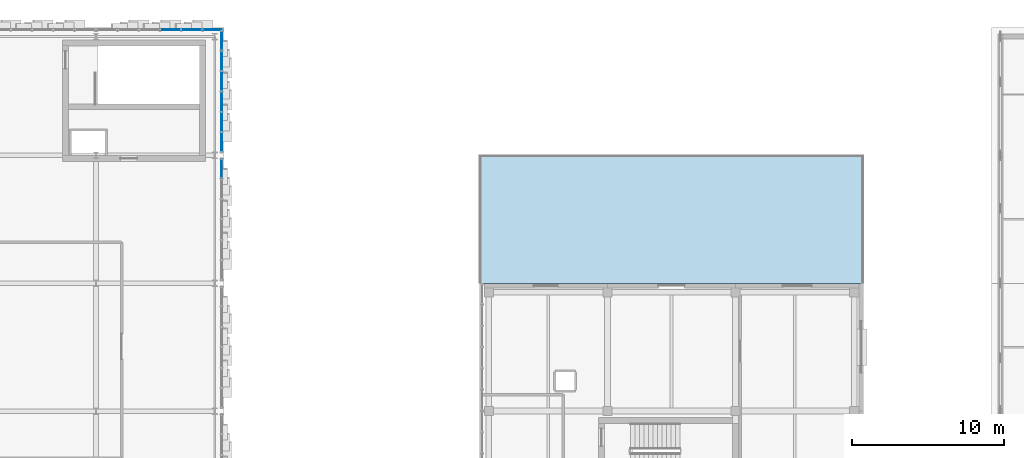
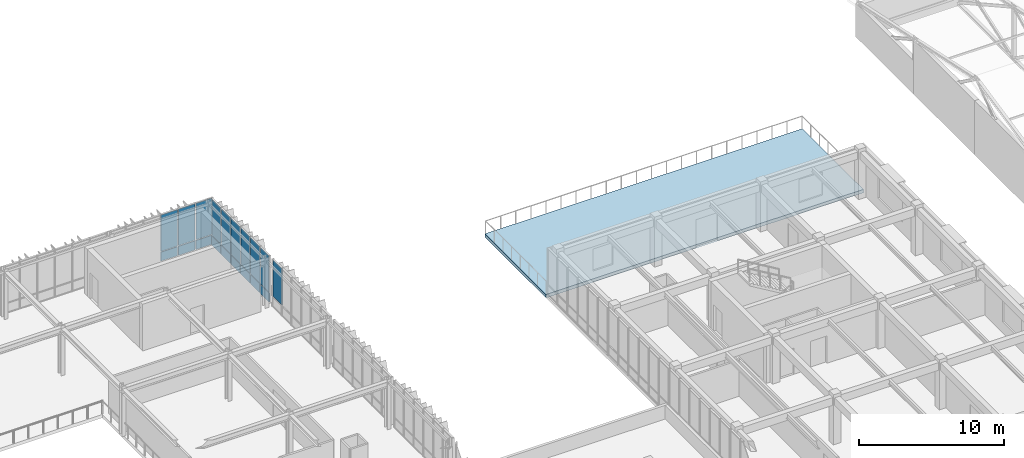
# One storey, part 94 of 123: 19 plates, 1 slab, 3 elements without a shape of their own.
"""IFC4 building model written with IfcOpenShell, lengths in metres."""

import ifcopenshell
import ifcopenshell.guid

model = None  # the IFC model being written
_history = None  # IfcOwnerHistory: only IFC2X3 demands one
_inside = {}  # id of a spatial element -> (the spatial element, [elements in it])
_under = {}  # id of a project, library or spatial element -> (it, [spatial elements below it])
_declared = {}  # id of a project -> (the project, [libraries it declares])
_typed = {}  # id of a type object -> (the type object, [elements of that type])
_made_of = {}  # id of a material, layer set ... -> (it, [elements and type objects made of it])


def new_model(schema):
    """Start an empty IFC model of exactly this schema.

    Asked for "IFC4X3", IfcOpenShell would pick the latest addendum, in which some entities
    have other attributes; the version numbers below select the first issue.
    IFC2X3 requires an IfcOwnerHistory on every rooted entity: one is made here for all.
    """
    global model, _history
    if schema == "IFC4X3":
        model = ifcopenshell.file(schema_version=(4, 3, 0, 0))
    else:
        model = ifcopenshell.file(schema=schema)
    _inside.clear()
    _under.clear()
    _declared.clear()
    _typed.clear()
    _made_of.clear()
    _history = None
    if model.schema == "IFC2X3":
        org = make("IfcOrganization", Name="unknown")
        user = make(
            "IfcPersonAndOrganization",
            ThePerson=make("IfcPerson", FamilyName="unknown"),
            TheOrganization=org,
        )
        app = make(
            "IfcApplication",
            ApplicationDeveloper=org,
            Version="unknown",
            ApplicationFullName="unknown",
            ApplicationIdentifier="unknown",
        )
        _history = make(
            "IfcOwnerHistory",
            OwningUser=user,
            OwningApplication=app,
            ChangeAction="ADDED",
            CreationDate=0,
        )
    return model


def make(cls, **values):
    """One entity of the class cls with the attributes given. An attribute that is None is left unset."""
    return model.create_entity(
        cls, **{name: value for name, value in values.items() if value is not None}
    )


def rooted(cls, **values):
    """An entity with a GlobalId (a new one), such as an element, a storey or a relation."""
    return make(cls, GlobalId=ifcopenshell.guid.new(), OwnerHistory=_history, **values)


def si_unit(unit_type, name, prefix=None):
    """IfcSIUnit, for example si_unit("LENGTHUNIT", "METRE", prefix="MILLI")."""
    return make("IfcSIUnit", UnitType=unit_type, Prefix=prefix, Name=name)


def assignment(units):
    """IfcUnitAssignment: the units of a project."""
    return None if units is None else make("IfcUnitAssignment", Units=units)


def point(xyz):
    """IfcCartesianPoint."""
    return None if xyz is None else make("IfcCartesianPoint", Coordinates=xyz)


def direction(xyz):
    """IfcDirection."""
    return None if xyz is None else make("IfcDirection", DirectionRatios=xyz)


def frame(location, z_axis=None, x_axis=None):
    """IfcAxis2Placement3D, a coordinate frame: its origin and axes. An axis left out is left unset."""
    return make(
        "IfcAxis2Placement3D",
        Location=point(location),
        Axis=direction(z_axis),
        RefDirection=direction(x_axis),
    )


def frame_2d(location, x_axis=None):
    """IfcAxis2Placement2D, a coordinate frame in the plane: its origin and x axis."""
    return make(
        "IfcAxis2Placement2D", Location=point(location), RefDirection=direction(x_axis)
    )


def origin():
    """The frame at (0, 0, 0) with its axes left unset."""
    return frame((0.0, 0.0, 0.0))


def origin_2d():
    """The frame at (0, 0) in the plane with its x axis left unset."""
    return frame_2d((0.0, 0.0))


def place(relative_to, where):
    """IfcLocalPlacement: puts the frame where relative to a parent placement (None: the world)."""
    return make(
        "IfcLocalPlacement", PlacementRelTo=relative_to, RelativePlacement=where
    )


def context(
    kind, dimensions, precision=None, world=None, true_north=None, identifier=None
):
    """IfcGeometricRepresentationContext, for example the 3D "Model" context."""
    return make(
        "IfcGeometricRepresentationContext",
        ContextIdentifier=identifier,
        ContextType=kind,
        CoordinateSpaceDimension=dimensions,
        Precision=precision,
        WorldCoordinateSystem=world,
        TrueNorth=true_north,
    )


def subcontext(parent, identifier, kind, view, scale=None):
    """IfcGeometricRepresentationSubContext, for example "Body" below "Model"."""
    return make(
        "IfcGeometricRepresentationSubContext",
        ContextIdentifier=identifier,
        ContextType=kind,
        ParentContext=parent,
        TargetScale=scale,
        TargetView=view,
    )


def project(units=None, contexts=None):
    """IfcProject with its units and contexts."""
    return rooted(
        "IfcProject",
        Name="project",
        RepresentationContexts=contexts,
        UnitsInContext=assignment(units),
    )


def spatial(cls, under=None, at=None, **own):
    """A site, building, storey or space (cls), placed at a placement, below another one or the project."""
    s = rooted(cls, ObjectPlacement=at, **own)
    if under is not None:
        _under.setdefault(under.id(), (under, []))[1].append(s)
    return s


def polyline(points):
    """IfcPolyline through the points."""
    return make("IfcPolyline", Points=[point(p) for p in points])


def profile(cls, at=None, kind="AREA", **sizes):
    """A parametric profile (cls). Its sizes go by their IFC names, for example OverallWidth=200.0."""
    return make(cls, ProfileType=kind, Position=at, **sizes)


def rectangle(**sizes):
    """IfcRectangleProfileDef."""
    return profile("IfcRectangleProfileDef", **sizes)


def outline(outer, holes=None, kind="AREA"):
    """IfcArbitraryClosedProfileDef: a profile drawn as a closed curve; with holes, ...WithVoids."""
    if holes is None:
        return make("IfcArbitraryClosedProfileDef", ProfileType=kind, OuterCurve=outer)
    return make(
        "IfcArbitraryProfileDefWithVoids",
        ProfileType=kind,
        OuterCurve=outer,
        InnerCurves=holes,
    )


def extrude(swept, where, along, depth):
    """IfcExtrudedAreaSolid: the profile swept, set in the frame where, extruded along a direction by depth."""
    return make(
        "IfcExtrudedAreaSolid",
        SweptArea=swept,
        Position=where,
        ExtrudedDirection=direction(along),
        Depth=depth,
    )


def shape(context_of_items, identifier, shape_type, items):
    """IfcShapeRepresentation: the items that make up one representation, for example the "Body"."""
    return make(
        "IfcShapeRepresentation",
        ContextOfItems=context_of_items,
        RepresentationIdentifier=identifier,
        RepresentationType=shape_type,
        Items=items,
    )


def material(Name=None, Category=None):
    """IfcMaterial."""
    return make("IfcMaterial", Name=Name, Category=Category)


def layer(
    of_material, thickness, ventilated=None, Name=None, Category=None, Priority=None
):
    """IfcMaterialLayer: one layer of a wall or slab, of a material (None: an air gap)."""
    return make(
        "IfcMaterialLayer",
        Material=of_material,
        LayerThickness=thickness,
        IsVentilated=ventilated,
        Name=Name,
        Category=Category,
        Priority=Priority,
    )


def layer_set(layers, Name=None):
    """IfcMaterialLayerSet."""
    return make("IfcMaterialLayerSet", MaterialLayers=layers, LayerSetName=Name)


def made_of(thing, what):
    """Note that an element or type object is made of a material, layer set ...; save() writes the relation."""
    if what is not None:
        _made_of.setdefault(what.id(), (what, []))[1].append(thing)
    return thing


def type_object(cls, material=None, **own):
    """A type object (cls), such as IfcWallType, which elements share."""
    return made_of(rooted(cls, **own), material)


def element(
    cls,
    number,
    at=None,
    inside=None,
    cuts=None,
    type_object=None,
    material=None,
    context=None,
    identifier="Body",
    shape_type=None,
    held_by="IfcProductDefinitionShape",
    body=None,
    shapes=None,
    **own,
):
    """One element of the class cls, such as IfcWall. Its Tag is "e" and its number.

    at: its placement. inside: the storey or other place that contains it. cuts: it is an
    opening in that element (IfcRelVoidsElement). A single representation is given by context,
    identifier, shape_type and body (its items); several are given by shapes. held_by: the class
    of the entity that holds the representations. save() writes the other relations.
    """
    e = rooted(cls, Tag="e%d" % number, ObjectPlacement=at, **own)
    if body is not None:
        shapes = [shape(context, identifier, shape_type, body)]
    if shapes is not None:
        e.Representation = make(held_by, Representations=shapes)
    if inside is not None:
        _inside.setdefault(inside.id(), (inside, []))[1].append(e)
    if cuts is not None:
        rooted(
            "IfcRelVoidsElement", RelatingBuildingElement=cuts, RelatedOpeningElement=e
        )
    if type_object is not None:
        _typed.setdefault(type_object.id(), (type_object, []))[1].append(e)
    return made_of(e, material)


def aggregate(whole, parts):
    """IfcRelAggregates: a whole, such as a stair, and the parts it consists of."""
    return rooted("IfcRelAggregates", RelatingObject=whole, RelatedObjects=parts)


def save(model, path):
    """Write the relations noted so far, then the file.

    IfcRelAggregates (storeys below a building ...), IfcRelContainedInSpatialStructure (elements
    in a storey), IfcRelDefinesByType, IfcRelAssociatesMaterial and IfcRelDeclares: one each for
    every whole, place, type object, material and project.
    """
    for whole, parts in _under.values():
        aggregate(whole, parts)
    for where, things in _inside.values():
        rooted(
            "IfcRelContainedInSpatialStructure",
            RelatedElements=things,
            RelatingStructure=where,
        )
    for kind, things in _typed.values():
        rooted("IfcRelDefinesByType", RelatedObjects=things, RelatingType=kind)
    for what, things in _made_of.values():
        rooted("IfcRelAssociatesMaterial", RelatedObjects=things, RelatingMaterial=what)
    for by, libraries in _declared.values():
        rooted("IfcRelDeclares", RelatingContext=by, RelatedDefinitions=libraries)
    model.write(path)


model = new_model("IFC4")

# Units and contexts
model_context = context("Model", 3, precision=1e-05, world=origin(), true_north=direction((0.0, 1.0)))
body_context = subcontext(model_context, "Body", "Model", "MODEL_VIEW")
ifc_project = project(units=[si_unit("LENGTHUNIT", "METRE"), si_unit("AREAUNIT", "SQUARE_METRE"), si_unit("VOLUMEUNIT", "CUBIC_METRE"), si_unit("PLANEANGLEUNIT", "RADIAN"), si_unit("MASSUNIT", "GRAM", prefix="KILO")], contexts=[model_context])

# Site, building, storey
site_placement = place(None, origin())
site = spatial("IfcSite", under=ifc_project, at=site_placement, CompositionType="ELEMENT")
building_placement = place(site_placement, origin())
building = spatial("IfcBuilding", under=site, at=building_placement, Name="Zayran Congress Hotel", CompositionType="ELEMENT")
storey_placement = place(building_placement, frame((0.0, 0.0, 15.0)))
storey = spatial("IfcBuildingStorey", under=building, at=storey_placement, Name="L03", CompositionType="ELEMENT", Elevation=15.0)

# Slab
ifc_material_1 = material(Name="Concrete C32/40", Category="concrete")
ifc_layer_1 = layer(ifc_material_1, 0.280029296875)
ifc_layer_set_1 = layer_set([ifc_layer_1], Name="Concrete C32/40")
slab_type = type_object("IfcSlabType", Name="SL-TR-280", PredefinedType="FLOOR", material=ifc_layer_set_1)
slab_placement = place(storey_placement, frame((0.0, 0.0, -0.280029296875)))
element("IfcSlab", 1, at=slab_placement, inside=storey, type_object=slab_type, Name="V4 L03 Planted Roof Terrace Slab 1", PredefinedType="FLOOR", context=body_context, shape_type="SweptSolid", body=[
    extrude(outline(polyline([(109.199951171875, 101.199951171875), (134.39990234375, 101.199951171875), (134.39990234375, 109.60009765625), (109.199951171875, 109.60009765625), (109.199951171875, 101.199951171875)])), origin(), (0.0, 0.0, 1.0), 0.280029296875),
])

# Curtain wall, plates
ifc_material_2 = material(Name="Anodised aluminium and low-E insulated glass", Category="aluminium")
ifc_layer_2 = layer(ifc_material_2, 0.179931640625)
ifc_layer_set_2 = layer_set([ifc_layer_2], Name="Anodised aluminium and low-E insulated glass")
curtain_wall_type_1 = type_object("IfcCurtainWallType", Name="CW-V1N-L03-CW-21-8360-3980", PredefinedType="USERDEFINED", material=ifc_layer_set_2)
curtain_wall_1_placement = place(storey_placement, origin())
curtain_wall_1 = element("IfcCurtainWall", 2, at=curtain_wall_1_placement, inside=storey, type_object=curtain_wall_type_1, Name="CW-V1N-L03-9", ObjectType="CURTAIN WALL", PredefinedType="USERDEFINED")
ifc_material_3 = material(Name="Insulated warm bronze aluminium spandrel panel", Category="aluminium")
ifc_layer_3 = layer(ifc_material_3, 0.06005859375)
ifc_layer_set_3 = layer_set([ifc_layer_3], Name="Insulated warm bronze aluminium spandrel panel")
plate_type_1 = type_object("IfcPlateType", Name="CWP-SP-1273-750", PredefinedType="CURTAIN_PANEL", material=ifc_layer_set_3)
plate_1_placement = place(storey_placement, frame((91.663330078125, 117.85009765625, 0.06005859375), z_axis=(0.0, 0.0, 1.0), x_axis=(1.0, 0.0, 0.0)))
plate_1 = element("IfcPlate", 3, at=plate_1_placement, type_object=plate_type_1, Name="CW-21 Spandrel Panel 1", PredefinedType="CURTAIN_PANEL", context=body_context, shape_type="SweptSolid", body=[
    extrude(rectangle(XDim=1.273193359375, YDim=0.06005859375, at=origin_2d()), origin(), (0.0, 0.0, 1.0), 0.75),
])
plate_2_placement = place(storey_placement, frame((90.2900390625, 117.85009765625, 0.06005859375), z_axis=(0.0, 0.0, 1.0), x_axis=(1.0, 0.0, 0.0)))
plate_2 = element("IfcPlate", 4, at=plate_2_placement, type_object=plate_type_1, Name="CW-21 Spandrel Panel 2", PredefinedType="CURTAIN_PANEL", context=body_context, shape_type="SweptSolid", body=[
    extrude(rectangle(XDim=1.313232421875, YDim=0.06005859375, at=origin_2d()), origin(), (0.0, 0.0, 1.0), 0.75),
])
plate_3_placement = place(storey_placement, frame((88.896728515625, 117.85009765625, 0.06005859375), z_axis=(0.0, 0.0, 1.0), x_axis=(1.0, 0.0, 0.0)))
plate_3 = element("IfcPlate", 5, at=plate_3_placement, type_object=plate_type_1, Name="CW-21 Spandrel Panel 3", PredefinedType="CURTAIN_PANEL", context=body_context, shape_type="SweptSolid", body=[
    extrude(rectangle(XDim=1.313232421875, YDim=0.06005859375, at=origin_2d()), origin(), (0.0, 0.0, 1.0), 0.75),
])

ifc_layer_4 = layer(ifc_material_2, 0.179931640625)
ifc_layer_set_4 = layer_set([ifc_layer_4], Name="Anodised aluminium and low-E insulated glass")
curtain_wall_type_2 = type_object("IfcCurtainWallType", Name="CW-V1E-L03-CW-42-8040-3980", PredefinedType="USERDEFINED", material=ifc_layer_set_4)
curtain_wall_2_placement = place(storey_placement, origin())
curtain_wall_2 = element("IfcCurtainWall", 6, at=curtain_wall_2_placement, inside=storey, type_object=curtain_wall_type_2, Name="CW-V1E-L03-5", ObjectType="CURTAIN WALL", PredefinedType="USERDEFINED")
ifc_layer_5 = layer(ifc_material_3, 0.06005859375)
ifc_layer_set_5 = layer_set([ifc_layer_5], Name="Insulated warm bronze aluminium spandrel panel")
plate_type_2 = type_object("IfcPlateType", Name="CWP-SP-1220-750", PredefinedType="CURTAIN_PANEL", material=ifc_layer_set_5)
plate_4_placement = place(storey_placement, frame((92.25, 110.469970703125, 0.06005859375), z_axis=(0.0, 0.0, 1.0), x_axis=(0.0, 1.0, 0.0)))
plate_4 = element("IfcPlate", 7, at=plate_4_placement, type_object=plate_type_2, Name="CW-42 Spandrel Panel 1", PredefinedType="CURTAIN_PANEL", context=body_context, shape_type="SweptSolid", body=[
    extrude(rectangle(XDim=1.219970703125, YDim=0.06005859375, at=origin_2d()), origin(), (0.0, 0.0, 1.0), 0.75),
])
plate_5_placement = place(storey_placement, frame((92.25, 111.7900390625, 0.06005859375), z_axis=(0.0, 0.0, 1.0), x_axis=(0.0, 1.0, 0.0)))
plate_5 = element("IfcPlate", 8, at=plate_5_placement, type_object=plate_type_2, Name="CW-42 Spandrel Panel 2", PredefinedType="CURTAIN_PANEL", context=body_context, shape_type="SweptSolid", body=[
    extrude(rectangle(XDim=1.260009765625, YDim=0.06005859375, at=origin_2d()), origin(), (0.0, 0.0, 1.0), 0.75),
])
plate_6_placement = place(storey_placement, frame((92.25, 113.1298828125, 0.06005859375), z_axis=(0.0, 0.0, 1.0), x_axis=(0.0, 1.0, 0.0)))
plate_6 = element("IfcPlate", 9, at=plate_6_placement, type_object=plate_type_2, Name="CW-42 Spandrel Panel 3", PredefinedType="CURTAIN_PANEL", context=body_context, shape_type="SweptSolid", body=[
    extrude(rectangle(XDim=1.260009765625, YDim=0.06005859375, at=origin_2d()), origin(), (0.0, 0.0, 1.0), 0.75),
])
plate_7_placement = place(storey_placement, frame((92.25, 114.469970703125, 0.06005859375), z_axis=(0.0, 0.0, 1.0), x_axis=(0.0, 1.0, 0.0)))
plate_7 = element("IfcPlate", 10, at=plate_7_placement, type_object=plate_type_2, Name="CW-42 Spandrel Panel 4", PredefinedType="CURTAIN_PANEL", context=body_context, shape_type="SweptSolid", body=[
    extrude(rectangle(XDim=1.260009765625, YDim=0.06005859375, at=origin_2d()), origin(), (0.0, 0.0, 1.0), 0.75),
])
plate_8_placement = place(storey_placement, frame((92.25, 115.81005859375, 0.06005859375), z_axis=(0.0, 0.0, 1.0), x_axis=(0.0, 1.0, 0.0)))
plate_8 = element("IfcPlate", 11, at=plate_8_placement, type_object=plate_type_2, Name="CW-42 Spandrel Panel 5", PredefinedType="CURTAIN_PANEL", context=body_context, shape_type="SweptSolid", body=[
    extrude(rectangle(XDim=1.260009765625, YDim=0.06005859375, at=origin_2d()), origin(), (0.0, 0.0, 1.0), 0.75),
])
plate_9_placement = place(storey_placement, frame((92.25, 117.1298828125, 0.06005859375), z_axis=(0.0, 0.0, 1.0), x_axis=(0.0, 1.0, 0.0)))
plate_9 = element("IfcPlate", 12, at=plate_9_placement, type_object=plate_type_2, Name="CW-42 Spandrel Panel 6", PredefinedType="CURTAIN_PANEL", context=body_context, shape_type="SweptSolid", body=[
    extrude(rectangle(XDim=1.219970703125, YDim=0.06005859375, at=origin_2d()), origin(), (0.0, 0.0, 1.0), 0.75),
])

# Plate
ifc_layer_6 = layer(ifc_material_2, 0.028076171875)
ifc_layer_set_6 = layer_set([ifc_layer_6], Name="Anodised aluminium and low-E insulated glass")
plate_type_3 = type_object("IfcPlateType", Name="CWP-GL-1273-3050", PredefinedType="CURTAIN_PANEL", material=ifc_layer_set_6)
plate_10_placement = place(storey_placement, frame((91.663330078125, 117.85009765625, 0.8701171875), z_axis=(0.0, 0.0, 1.0), x_axis=(1.0, 0.0, 0.0)))
plate_10 = element("IfcPlate", 13, at=plate_10_placement, type_object=plate_type_3, Name="CW-21 Glazed Panel 1", PredefinedType="CURTAIN_PANEL", context=body_context, shape_type="SweptSolid", body=[
    extrude(rectangle(XDim=1.273193359375, YDim=0.028076171875, at=origin_2d()), origin(), (0.0, 0.0, 1.0), 3.050048828125),
])

plate_11_placement = place(storey_placement, frame((90.2900390625, 117.85009765625, 0.8701171875), z_axis=(0.0, 0.0, 1.0), x_axis=(1.0, 0.0, 0.0)))
plate_11 = element("IfcPlate", 14, at=plate_11_placement, type_object=plate_type_3, Name="CW-21 Glazed Panel 2", PredefinedType="CURTAIN_PANEL", context=body_context, shape_type="SweptSolid", body=[
    extrude(rectangle(XDim=1.313232421875, YDim=0.028076171875, at=origin_2d()), origin(), (0.0, 0.0, 1.0), 3.050048828125),
])

plate_12_placement = place(storey_placement, frame((88.896728515625, 117.85009765625, 0.8701171875), z_axis=(0.0, 0.0, 1.0), x_axis=(1.0, 0.0, 0.0)))
plate_12 = element("IfcPlate", 15, at=plate_12_placement, type_object=plate_type_3, Name="CW-21 Glazed Panel 3", PredefinedType="CURTAIN_PANEL", context=body_context, shape_type="SweptSolid", body=[
    extrude(rectangle(XDim=1.313232421875, YDim=0.028076171875, at=origin_2d()), origin(), (0.0, 0.0, 1.0), 3.050048828125),
])

aggregate(curtain_wall_1, [plate_1, plate_10, plate_2, plate_11, plate_3, plate_12])

# Curtain wall, plate
ifc_layer_7 = layer(ifc_material_2, 0.179931640625)
ifc_layer_set_7 = layer_set([ifc_layer_7], Name="Anodised aluminium and low-E insulated glass")
curtain_wall_type_3 = type_object("IfcCurtainWallType", Name="CW-V1E-L03-CW-41-8040-3980", PredefinedType="USERDEFINED", material=ifc_layer_set_7)
curtain_wall_3_placement = place(storey_placement, origin())
curtain_wall_3 = element("IfcCurtainWall", 16, at=curtain_wall_3_placement, inside=storey, type_object=curtain_wall_type_3, Name="CW-V1E-L03-4", ObjectType="CURTAIN WALL", PredefinedType="USERDEFINED")
ifc_layer_8 = layer(ifc_material_2, 0.028076171875)
ifc_layer_set_8 = layer_set([ifc_layer_8], Name="Anodised aluminium and low-E insulated glass")
plate_type_4 = type_object("IfcPlateType", Name="CWP-GL-1220-3050", PredefinedType="CURTAIN_PANEL", material=ifc_layer_set_8)
plate_13_placement = place(storey_placement, frame((92.25, 108.72998046875, 0.8701171875), z_axis=(0.0, 0.0, 1.0), x_axis=(0.0, 1.0, 0.0)))
plate_13 = element("IfcPlate", 17, at=plate_13_placement, type_object=plate_type_4, Name="CW-41 Glazed Panel 6", PredefinedType="CURTAIN_PANEL", context=body_context, shape_type="SweptSolid", body=[
    extrude(rectangle(XDim=1.219970703125, YDim=0.028076171875, at=origin_2d()), origin(), (0.0, 0.0, 1.0), 3.050048828125),
])
aggregate(curtain_wall_3, [plate_13])

# Plate
plate_14_placement = place(storey_placement, frame((92.25, 110.469970703125, 0.8701171875), z_axis=(0.0, 0.0, 1.0), x_axis=(0.0, 1.0, 0.0)))
plate_14 = element("IfcPlate", 18, at=plate_14_placement, type_object=plate_type_4, Name="CW-42 Glazed Panel 1", PredefinedType="CURTAIN_PANEL", context=body_context, shape_type="SweptSolid", body=[
    extrude(rectangle(XDim=1.219970703125, YDim=0.028076171875, at=origin_2d()), origin(), (0.0, 0.0, 1.0), 3.050048828125),
])

plate_15_placement = place(storey_placement, frame((92.25, 111.7900390625, 0.8701171875), z_axis=(0.0, 0.0, 1.0), x_axis=(0.0, 1.0, 0.0)))
plate_15 = element("IfcPlate", 19, at=plate_15_placement, type_object=plate_type_4, Name="CW-42 Glazed Panel 2", PredefinedType="CURTAIN_PANEL", context=body_context, shape_type="SweptSolid", body=[
    extrude(rectangle(XDim=1.260009765625, YDim=0.028076171875, at=origin_2d()), origin(), (0.0, 0.0, 1.0), 3.050048828125),
])

plate_16_placement = place(storey_placement, frame((92.25, 113.1298828125, 0.8701171875), z_axis=(0.0, 0.0, 1.0), x_axis=(0.0, 1.0, 0.0)))
plate_16 = element("IfcPlate", 20, at=plate_16_placement, type_object=plate_type_4, Name="CW-42 Glazed Panel 3", PredefinedType="CURTAIN_PANEL", context=body_context, shape_type="SweptSolid", body=[
    extrude(rectangle(XDim=1.260009765625, YDim=0.028076171875, at=origin_2d()), origin(), (0.0, 0.0, 1.0), 3.050048828125),
])

plate_17_placement = place(storey_placement, frame((92.25, 114.469970703125, 0.8701171875), z_axis=(0.0, 0.0, 1.0), x_axis=(0.0, 1.0, 0.0)))
plate_17 = element("IfcPlate", 21, at=plate_17_placement, type_object=plate_type_4, Name="CW-42 Glazed Panel 4", PredefinedType="CURTAIN_PANEL", context=body_context, shape_type="SweptSolid", body=[
    extrude(rectangle(XDim=1.260009765625, YDim=0.028076171875, at=origin_2d()), origin(), (0.0, 0.0, 1.0), 3.050048828125),
])

plate_18_placement = place(storey_placement, frame((92.25, 115.81005859375, 0.8701171875), z_axis=(0.0, 0.0, 1.0), x_axis=(0.0, 1.0, 0.0)))
plate_18 = element("IfcPlate", 22, at=plate_18_placement, type_object=plate_type_4, Name="CW-42 Glazed Panel 5", PredefinedType="CURTAIN_PANEL", context=body_context, shape_type="SweptSolid", body=[
    extrude(rectangle(XDim=1.260009765625, YDim=0.028076171875, at=origin_2d()), origin(), (0.0, 0.0, 1.0), 3.050048828125),
])

plate_19_placement = place(storey_placement, frame((92.25, 117.1298828125, 0.8701171875), z_axis=(0.0, 0.0, 1.0), x_axis=(0.0, 1.0, 0.0)))
plate_19 = element("IfcPlate", 23, at=plate_19_placement, type_object=plate_type_4, Name="CW-42 Glazed Panel 6", PredefinedType="CURTAIN_PANEL", context=body_context, shape_type="SweptSolid", body=[
    extrude(rectangle(XDim=1.219970703125, YDim=0.028076171875, at=origin_2d()), origin(), (0.0, 0.0, 1.0), 3.050048828125),
])

aggregate(curtain_wall_2, [plate_4, plate_14, plate_5, plate_15, plate_6, plate_16, plate_7, plate_17, plate_8, plate_18, plate_9, plate_19])

save(model, "model.ifc")
